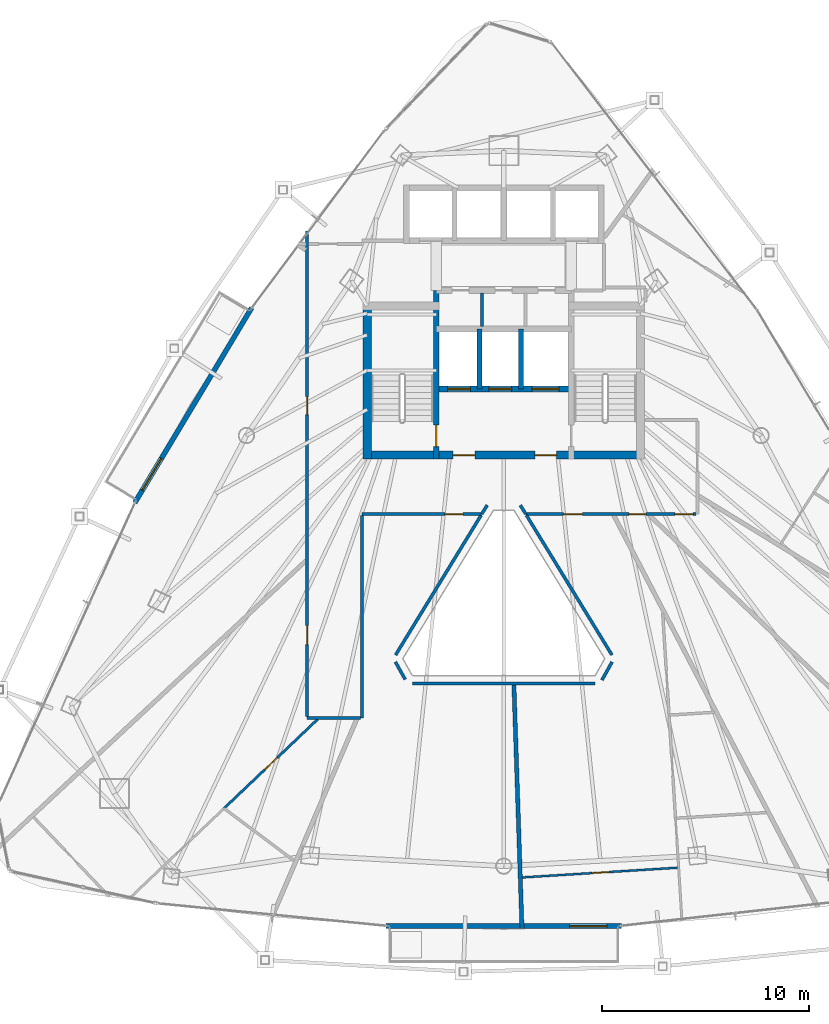
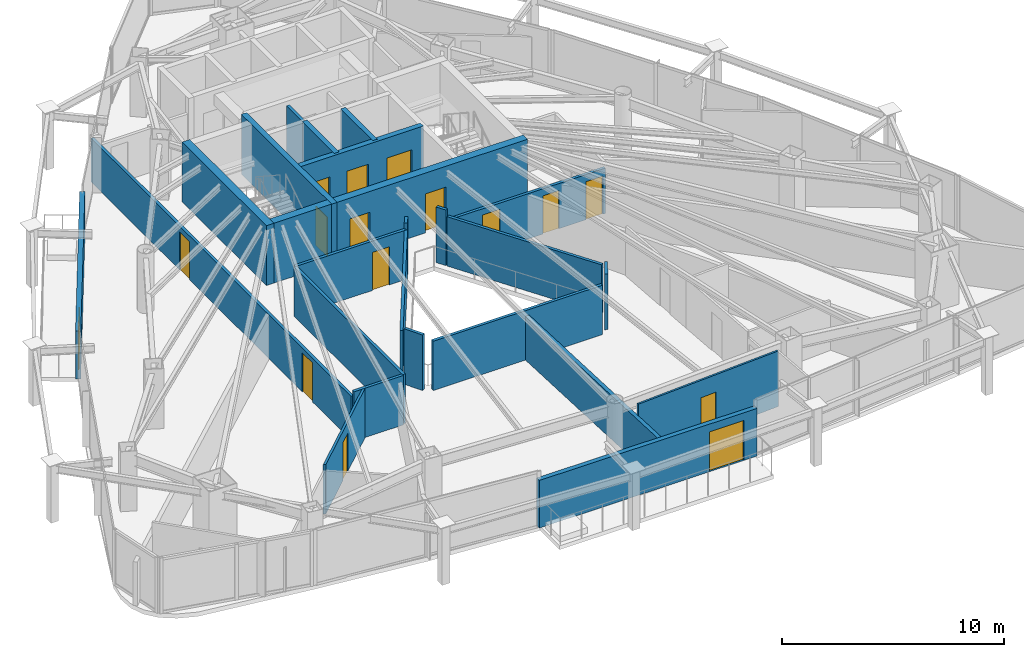
# One storey, part 24 of 29: 24 walls, 16 doors, 16 openings.
"""IFC4 building model written with IfcOpenShell, lengths in metres."""

import ifcopenshell
import ifcopenshell.guid

model = None  # the IFC model being written
_history = None  # IfcOwnerHistory: only IFC2X3 demands one
_inside = {}  # id of a spatial element -> (the spatial element, [elements in it])
_under = {}  # id of a project, library or spatial element -> (it, [spatial elements below it])
_declared = {}  # id of a project -> (the project, [libraries it declares])
_typed = {}  # id of a type object -> (the type object, [elements of that type])
_made_of = {}  # id of a material, layer set ... -> (it, [elements and type objects made of it])


def new_model(schema):
    """Start an empty IFC model of exactly this schema.

    Asked for "IFC4X3", IfcOpenShell would pick the latest addendum, in which some entities
    have other attributes; the version numbers below select the first issue.
    IFC2X3 requires an IfcOwnerHistory on every rooted entity: one is made here for all.
    """
    global model, _history
    if schema == "IFC4X3":
        model = ifcopenshell.file(schema_version=(4, 3, 0, 0))
    else:
        model = ifcopenshell.file(schema=schema)
    _inside.clear()
    _under.clear()
    _declared.clear()
    _typed.clear()
    _made_of.clear()
    _history = None
    if model.schema == "IFC2X3":
        org = make("IfcOrganization", Name="unknown")
        user = make(
            "IfcPersonAndOrganization",
            ThePerson=make("IfcPerson", FamilyName="unknown"),
            TheOrganization=org,
        )
        app = make(
            "IfcApplication",
            ApplicationDeveloper=org,
            Version="unknown",
            ApplicationFullName="unknown",
            ApplicationIdentifier="unknown",
        )
        _history = make(
            "IfcOwnerHistory",
            OwningUser=user,
            OwningApplication=app,
            ChangeAction="ADDED",
            CreationDate=0,
        )
    return model


def make(cls, **values):
    """One entity of the class cls with the attributes given. An attribute that is None is left unset."""
    return model.create_entity(
        cls, **{name: value for name, value in values.items() if value is not None}
    )


def rooted(cls, **values):
    """An entity with a GlobalId (a new one), such as an element, a storey or a relation."""
    return make(cls, GlobalId=ifcopenshell.guid.new(), OwnerHistory=_history, **values)


def si_unit(unit_type, name, prefix=None):
    """IfcSIUnit, for example si_unit("LENGTHUNIT", "METRE", prefix="MILLI")."""
    return make("IfcSIUnit", UnitType=unit_type, Prefix=prefix, Name=name)


def assignment(units):
    """IfcUnitAssignment: the units of a project."""
    return None if units is None else make("IfcUnitAssignment", Units=units)


def point(xyz):
    """IfcCartesianPoint."""
    return None if xyz is None else make("IfcCartesianPoint", Coordinates=xyz)


def direction(xyz):
    """IfcDirection."""
    return None if xyz is None else make("IfcDirection", DirectionRatios=xyz)


def frame(location, z_axis=None, x_axis=None):
    """IfcAxis2Placement3D, a coordinate frame: its origin and axes. An axis left out is left unset."""
    return make(
        "IfcAxis2Placement3D",
        Location=point(location),
        Axis=direction(z_axis),
        RefDirection=direction(x_axis),
    )


def frame_2d(location, x_axis=None):
    """IfcAxis2Placement2D, a coordinate frame in the plane: its origin and x axis."""
    return make(
        "IfcAxis2Placement2D", Location=point(location), RefDirection=direction(x_axis)
    )


def origin():
    """The frame at (0, 0, 0) with its axes left unset."""
    return frame((0.0, 0.0, 0.0))


def place(relative_to, where):
    """IfcLocalPlacement: puts the frame where relative to a parent placement (None: the world)."""
    return make(
        "IfcLocalPlacement", PlacementRelTo=relative_to, RelativePlacement=where
    )


def context(
    kind, dimensions, precision=None, world=None, true_north=None, identifier=None
):
    """IfcGeometricRepresentationContext, for example the 3D "Model" context."""
    return make(
        "IfcGeometricRepresentationContext",
        ContextIdentifier=identifier,
        ContextType=kind,
        CoordinateSpaceDimension=dimensions,
        Precision=precision,
        WorldCoordinateSystem=world,
        TrueNorth=true_north,
    )


def subcontext(parent, identifier, kind, view, scale=None):
    """IfcGeometricRepresentationSubContext, for example "Body" below "Model"."""
    return make(
        "IfcGeometricRepresentationSubContext",
        ContextIdentifier=identifier,
        ContextType=kind,
        ParentContext=parent,
        TargetScale=scale,
        TargetView=view,
    )


def project(units=None, contexts=None):
    """IfcProject with its units and contexts."""
    return rooted(
        "IfcProject",
        Name="project",
        RepresentationContexts=contexts,
        UnitsInContext=assignment(units),
    )


def spatial(cls, under=None, at=None, **own):
    """A site, building, storey or space (cls), placed at a placement, below another one or the project."""
    s = rooted(cls, ObjectPlacement=at, **own)
    if under is not None:
        _under.setdefault(under.id(), (under, []))[1].append(s)
    return s


def profile(cls, at=None, kind="AREA", **sizes):
    """A parametric profile (cls). Its sizes go by their IFC names, for example OverallWidth=200.0."""
    return make(cls, ProfileType=kind, Position=at, **sizes)


def rectangle(**sizes):
    """IfcRectangleProfileDef."""
    return profile("IfcRectangleProfileDef", **sizes)


def extrude(swept, where, along, depth):
    """IfcExtrudedAreaSolid: the profile swept, set in the frame where, extruded along a direction by depth."""
    return make(
        "IfcExtrudedAreaSolid",
        SweptArea=swept,
        Position=where,
        ExtrudedDirection=direction(along),
        Depth=depth,
    )


def shape(context_of_items, identifier, shape_type, items):
    """IfcShapeRepresentation: the items that make up one representation, for example the "Body"."""
    return make(
        "IfcShapeRepresentation",
        ContextOfItems=context_of_items,
        RepresentationIdentifier=identifier,
        RepresentationType=shape_type,
        Items=items,
    )


def material(Name=None, Category=None):
    """IfcMaterial."""
    return make("IfcMaterial", Name=Name, Category=Category)


def layer(
    of_material, thickness, ventilated=None, Name=None, Category=None, Priority=None
):
    """IfcMaterialLayer: one layer of a wall or slab, of a material (None: an air gap)."""
    return make(
        "IfcMaterialLayer",
        Material=of_material,
        LayerThickness=thickness,
        IsVentilated=ventilated,
        Name=Name,
        Category=Category,
        Priority=Priority,
    )


def layer_set(layers, Name=None):
    """IfcMaterialLayerSet."""
    return make("IfcMaterialLayerSet", MaterialLayers=layers, LayerSetName=Name)


def made_of(thing, what):
    """Note that an element or type object is made of a material, layer set ...; save() writes the relation."""
    if what is not None:
        _made_of.setdefault(what.id(), (what, []))[1].append(thing)
    return thing


def type_object(cls, material=None, **own):
    """A type object (cls), such as IfcWallType, which elements share."""
    return made_of(rooted(cls, **own), material)


def element(
    cls,
    number,
    at=None,
    inside=None,
    cuts=None,
    type_object=None,
    material=None,
    context=None,
    identifier="Body",
    shape_type=None,
    held_by="IfcProductDefinitionShape",
    body=None,
    shapes=None,
    **own,
):
    """One element of the class cls, such as IfcWall. Its Tag is "e" and its number.

    at: its placement. inside: the storey or other place that contains it. cuts: it is an
    opening in that element (IfcRelVoidsElement). A single representation is given by context,
    identifier, shape_type and body (its items); several are given by shapes. held_by: the class
    of the entity that holds the representations. save() writes the other relations.
    """
    e = rooted(cls, Tag="e%d" % number, ObjectPlacement=at, **own)
    if body is not None:
        shapes = [shape(context, identifier, shape_type, body)]
    if shapes is not None:
        e.Representation = make(held_by, Representations=shapes)
    if inside is not None:
        _inside.setdefault(inside.id(), (inside, []))[1].append(e)
    if cuts is not None:
        rooted(
            "IfcRelVoidsElement", RelatingBuildingElement=cuts, RelatedOpeningElement=e
        )
    if type_object is not None:
        _typed.setdefault(type_object.id(), (type_object, []))[1].append(e)
    return made_of(e, material)


def fill(opening, filler):
    """IfcRelFillsElement: the door or window that sits in an opening."""
    return rooted(
        "IfcRelFillsElement",
        RelatingOpeningElement=opening,
        RelatedBuildingElement=filler,
    )


def aggregate(whole, parts):
    """IfcRelAggregates: a whole, such as a stair, and the parts it consists of."""
    return rooted("IfcRelAggregates", RelatingObject=whole, RelatedObjects=parts)


def save(model, path):
    """Write the relations noted so far, then the file.

    IfcRelAggregates (storeys below a building ...), IfcRelContainedInSpatialStructure (elements
    in a storey), IfcRelDefinesByType, IfcRelAssociatesMaterial and IfcRelDeclares: one each for
    every whole, place, type object, material and project.
    """
    for whole, parts in _under.values():
        aggregate(whole, parts)
    for where, things in _inside.values():
        rooted(
            "IfcRelContainedInSpatialStructure",
            RelatedElements=things,
            RelatingStructure=where,
        )
    for kind, things in _typed.values():
        rooted("IfcRelDefinesByType", RelatedObjects=things, RelatingType=kind)
    for what, things in _made_of.values():
        rooted("IfcRelAssociatesMaterial", RelatedObjects=things, RelatingMaterial=what)
    for by, libraries in _declared.values():
        rooted("IfcRelDeclares", RelatingContext=by, RelatedDefinitions=libraries)
    model.write(path)


model = new_model("IFC4")

# Units and contexts
model_context = context("Model", 3, precision=1e-05, world=origin(), true_north=direction((0.0, 1.0)))
body_context = subcontext(model_context, "Body", "Model", "MODEL_VIEW")
ifc_project = project(units=[si_unit("LENGTHUNIT", "METRE"), si_unit("AREAUNIT", "SQUARE_METRE"), si_unit("VOLUMEUNIT", "CUBIC_METRE"), si_unit("PLANEANGLEUNIT", "RADIAN"), si_unit("MASSUNIT", "GRAM", prefix="KILO")], contexts=[model_context])

# Site, building, storey
site_placement = place(None, origin())
site = spatial("IfcSite", under=ifc_project, at=site_placement, CompositionType="ELEMENT")
building_placement = place(site_placement, origin())
building = spatial("IfcBuilding", under=site, at=building_placement, Name="Orvanel Arch Residences", CompositionType="ELEMENT")
storey_placement = place(building_placement, frame((0.0, 0.0, 177.050048828125)))
storey = spatial("IfcBuildingStorey", under=building, at=storey_placement, Name="L50", CompositionType="ELEMENT", Elevation=177.050048828125)

# Wall, opening, door
ifc_material_1 = material(Name="Precast concrete N50 (50 MPa)", Category="concrete")
ifc_layer_1 = layer(ifc_material_1, 0.239990234375)
ifc_layer_set_1 = layer_set([ifc_layer_1], Name="Precast concrete N50 (50 MPa)")
wall_type_1 = type_object("IfcWallType", Name="EW-BAL-240", PredefinedType="SOLIDWALL", material=ifc_layer_set_1)
wall_1_placement = place(storey_placement, frame((20.825927734375, 33.81103515625, 0.0), z_axis=(0.0, 0.0, 1.0), x_axis=(-0.514332213488, -0.857591029669, 0.0)))
wall_1 = element("IfcWall", 1, at=wall_1_placement, inside=storey, type_object=wall_type_1, Name="L50 Balcony Threshold Wall Face 1", PredefinedType="SOLIDWALL", context=body_context, shape_type="SweptSolid", body=[
    extrude(rectangle(XDim=10.977294921875, YDim=0.239990234375, at=frame_2d((5.48876953125, 0.0))), origin(), (0.0, 0.0, 1.0), 2.6240234375),
])
opening_1_placement = place(wall_1_placement, frame((8.47998046875, 0.0, 0.0)))
opening_1 = element("IfcOpeningElement", 2, at=opening_1_placement, cuts=wall_1, Name="Opening DB-180", PredefinedType="OPENING", context=body_context, shape_type="SweptSolid", body=[
    extrude(rectangle(XDim=1.800048828125, YDim=2.199951171875, at=frame_2d((0.89990234375, 1.10009765625))), frame((0.0, 0.1298828125, 0.0), z_axis=(0.0, -1.0, 0.0), x_axis=(1.0, 0.0, 0.0)), (0.0, 0.0, 1.0), 0.260009765625),
])
ifc_material_2 = material(Name="Bronze-anodised aluminium AA6063-T6", Category="aluminium")
door_type_1 = type_object("IfcDoorType", Name="DR-BAL-1800", OperationType="NOTDEFINED", PredefinedType="DOOR", material=ifc_material_2)
door_1_placement = place(opening_1_placement, origin())
door_1 = element("IfcDoor", 3, at=door_1_placement, inside=storey, type_object=door_type_1, Name="DR-L50-BAL-F1 L50 Planted Balcony Access Door Face 1", OperationType="SINGLE_SWING_LEFT", OverallHeight=2.199951171875, OverallWidth=1.800048828125, PredefinedType="DOOR", context=body_context, shape_type="SweptSolid", body=[
    extrude(rectangle(XDim=1.800048828125, YDim=2.199951171875, at=frame_2d((0.89990234375, 1.10009765625))), frame((0.0, 0.02490234375, 0.0), z_axis=(0.0, -1.0, 0.0), x_axis=(1.0, 0.0, 0.0)), (0.0, 0.0, 1.0), 0.050048828125),
])
fill(opening_1, door_1)

wall_2_placement = place(storey_placement, frame((27.323974609375, 3.945068359375, 0.0), z_axis=(0.0, 0.0, 1.0), x_axis=(1.0, 0.0, 0.0)))
wall_2 = element("IfcWall", 4, at=wall_2_placement, inside=storey, type_object=wall_type_1, Name="L50 Balcony Threshold Wall Face 2", PredefinedType="SOLIDWALL", context=body_context, shape_type="SweptSolid", body=[
    extrude(rectangle(XDim=11.35205078125, YDim=0.239990234375, at=frame_2d((5.676025390625, 0.0))), origin(), (0.0, 0.0, 1.0), 2.6240234375),
])
opening_2_placement = place(wall_2_placement, frame((8.85498046875, 0.0, 0.0)))
opening_2 = element("IfcOpeningElement", 5, at=opening_2_placement, cuts=wall_2, Name="Opening DB-180", PredefinedType="OPENING", context=body_context, shape_type="SweptSolid", body=[
    extrude(rectangle(XDim=1.800048828125, YDim=2.199951171875, at=frame_2d((0.89990234375, 1.10009765625))), frame((0.0, 0.1298828125, 0.0), z_axis=(0.0, -1.0, 0.0), x_axis=(1.0, 0.0, 0.0)), (0.0, 0.0, 1.0), 0.260009765625),
])
door_2_placement = place(opening_2_placement, origin())
door_2 = element("IfcDoor", 6, at=door_2_placement, inside=storey, type_object=door_type_1, Name="DR-L50-BAL-F2 L50 Planted Balcony Access Door Face 2", OperationType="SINGLE_SWING_RIGHT", OverallHeight=2.199951171875, OverallWidth=1.800048828125, PredefinedType="DOOR", context=body_context, shape_type="SweptSolid", body=[
    extrude(rectangle(XDim=1.800048828125, YDim=2.199951171875, at=frame_2d((0.89990234375, 1.10009765625))), frame((0.0, 0.02490234375, 0.0), z_axis=(0.0, -1.0, 0.0), x_axis=(1.0, 0.0, 0.0)), (0.0, 0.0, 1.0), 0.050048828125),
])
fill(opening_2, door_2)

# Walls
ifc_material_3 = material(Name="Concrete N50 (50 MPa)", Category="concrete")
ifc_layer_2 = layer(ifc_material_3, 0.25)
ifc_layer_set_2 = layer_set([ifc_layer_2], Name="Concrete N50 (50 MPa)")
wall_type_2 = type_object("IfcWallType", Name="SW-CORE-250", PredefinedType="SHEAR", material=ifc_layer_set_2)
for number, where, z_axis, x_axis, name in (
    (7, (31.824951171875, 29.889892578125, 0.0), (0.0, 0.0, 1.0), (0.0, 1.0, 0.0), "L50 Emergency Lift Inter-Shaft Wall F12"),
    (8, (33.824951171875, 29.889892578125, 0.0), (0.0, 0.0, 1.0), (0.0, 1.0, 0.0), "L50 Emergency Lift Inter-Shaft Wall F2G"),
):
    element("IfcWall", number, at=place(storey_placement, frame(where, z_axis=z_axis, x_axis=x_axis)), inside=storey, type_object=wall_type_2, Name=name, PredefinedType="SHEAR", context=body_context, shape_type="SweptSolid", body=[
        extrude(rectangle(XDim=2.900146484375, YDim=0.25, at=frame_2d((1.4501953125, 0.0))), origin(), (0.0, 0.0, 1.0), 3.300048828125),
    ])

# Wall, opening, door
ifc_material_4 = material(Name="Concrete S65 (65 MPa)", Category="concrete")
ifc_layer_3 = layer(ifc_material_4, 0.280029296875)
ifc_layer_set_3 = layer_set([ifc_layer_3], Name="Concrete S65 (65 MPa)")
wall_type_3 = type_object("IfcWallType", Name="SW-CORE-280", PredefinedType="SHEAR", material=ifc_layer_set_3)
wall_3_placement = place(storey_placement, frame((29.739990234375, 26.5, 0.0), z_axis=(0.0, 0.0, 1.0), x_axis=(0.0, 1.0, 0.0)))
wall_3 = element("IfcWall", 9, at=wall_3_placement, inside=storey, type_object=wall_type_3, Name="L50 West Inner Core Spine Shear Wall", PredefinedType="SHEAR", context=body_context, shape_type="SweptSolid", body=[
    extrude(rectangle(XDim=8.14990234375, YDim=0.280029296875, at=frame_2d((4.074951171875, 0.0))), origin(), (0.0, 0.0, 1.0), 3.300048828125),
])
opening_3_placement = place(wall_3_placement, frame((0.60009765625, 0.0, 0.0)))
opening_3 = element("IfcOpeningElement", 10, at=opening_3_placement, cuts=wall_3, Name="Opening DF-120", PredefinedType="OPENING", context=body_context, shape_type="SweptSolid", body=[
    extrude(rectangle(XDim=1.050048828125, YDim=2.14990234375, at=frame_2d((0.52490234375, 1.074951171875))), frame((0.0, 0.14990234375, 0.0), z_axis=(0.0, -1.0, 0.0), x_axis=(1.0, 0.0, 0.0)), (0.0, 0.0, 1.0), 0.300048828125),
])
ifc_material_5 = material(Name="Galvanised steel fire-resisting door assembly", Category="steel")
door_type_2 = type_object("IfcDoorType", Name="DR-FD120-1050", OperationType="NOTDEFINED", PredefinedType="DOOR", material=ifc_material_5)
door_3_placement = place(opening_3_placement, origin())
door_3 = element("IfcDoor", 11, at=door_3_placement, inside=storey, type_object=door_type_2, Name="DR-L50-ST1 L50 Stair 1 Fire Door", OperationType="SINGLE_SWING_LEFT", OverallHeight=2.14990234375, OverallWidth=1.050048828125, PredefinedType="DOOR", context=body_context, shape_type="SweptSolid", body=[
    extrude(rectangle(XDim=1.050048828125, YDim=2.14990234375, at=frame_2d((0.52490234375, 1.074951171875))), frame((0.0, 0.02490234375, 0.0), z_axis=(0.0, -1.0, 0.0), x_axis=(1.0, 0.0, 0.0)), (0.0, 0.0, 1.0), 0.050048828125),
])
fill(opening_3, door_3)

# Wall, openings, doors
wall_4_placement = place(storey_placement, frame((36.260009765625, 29.889892578125, 0.0), z_axis=(0.0, 0.0, 1.0), x_axis=(-1.0, 0.0, 0.0)))
wall_4 = element("IfcWall", 12, at=wall_4_placement, inside=storey, type_object=wall_type_3, Name="L50 Emergency Lift Front Core Shear Wall", PredefinedType="SHEAR", context=body_context, shape_type="SweptSolid", body=[
    extrude(rectangle(XDim=6.52001953125, YDim=0.280029296875, at=frame_2d((3.260009765625, 0.0))), origin(), (0.0, 0.0, 1.0), 3.300048828125),
])
opening_4_placement = place(wall_4_placement, frame((4.875, 0.0, 0.0)))
opening_4 = element("IfcOpeningElement", 13, at=opening_4_placement, cuts=wall_4, Name="Opening LD-110", PredefinedType="OPENING", context=body_context, shape_type="SweptSolid", body=[
    extrude(rectangle(XDim=1.10009765625, YDim=2.199951171875, at=frame_2d((0.550048828125, 1.10009765625))), frame((0.0, 0.14990234375, 0.0), z_axis=(0.0, -1.0, 0.0), x_axis=(1.0, 0.0, 0.0)), (0.0, 0.0, 1.0), 0.300048828125),
])
opening_5_placement = place(wall_4_placement, frame((2.875, 0.0, 0.0)))
opening_5 = element("IfcOpeningElement", 14, at=opening_5_placement, cuts=wall_4, Name="Opening LD-110", PredefinedType="OPENING", context=body_context, shape_type="SweptSolid", body=[
    extrude(rectangle(XDim=1.10009765625, YDim=2.199951171875, at=frame_2d((0.550048828125, 1.10009765625))), frame((0.0, 0.14990234375, 0.0), z_axis=(0.0, -1.0, 0.0), x_axis=(1.0, 0.0, 0.0)), (0.0, 0.0, 1.0), 0.300048828125),
])
opening_6_placement = place(wall_4_placement, frame((0.60009765625, 0.0, 0.0)))
opening_6 = element("IfcOpeningElement", 15, at=opening_6_placement, cuts=wall_4, Name="Opening LD-130", PredefinedType="OPENING", context=body_context, shape_type="SweptSolid", body=[
    extrude(rectangle(XDim=1.300048828125, YDim=2.199951171875, at=frame_2d((0.64990234375, 1.10009765625))), frame((0.0, 0.14990234375, 0.0), z_axis=(0.0, -1.0, 0.0), x_axis=(1.0, 0.0, 0.0)), (0.0, 0.0, 1.0), 0.300048828125),
])
door_type_3 = type_object("IfcDoorType", Name="DR-LFT-1100", OperationType="NOTDEFINED", PredefinedType="DOOR", material=ifc_material_5)
door_4_placement = place(opening_4_placement, origin())
door_4 = element("IfcDoor", 16, at=door_4_placement, inside=storey, type_object=door_type_3, Name="LD-F1-L50 L50 Lift F1 Sliding Landing Door", OperationType="DOUBLE_DOOR_SLIDING", OverallHeight=2.199951171875, OverallWidth=1.10009765625, PredefinedType="DOOR", context=body_context, shape_type="SweptSolid", body=[
    extrude(rectangle(XDim=1.10009765625, YDim=2.199951171875, at=frame_2d((0.550048828125, 1.10009765625))), frame((0.0, 0.02490234375, 0.0), z_axis=(0.0, -1.0, 0.0), x_axis=(1.0, 0.0, 0.0)), (0.0, 0.0, 1.0), 0.050048828125),
])
fill(opening_4, door_4)
door_5_placement = place(opening_5_placement, origin())
door_5 = element("IfcDoor", 17, at=door_5_placement, inside=storey, type_object=door_type_3, Name="LD-F2-L50 L50 Lift F2 Sliding Landing Door", OperationType="DOUBLE_DOOR_SLIDING", OverallHeight=2.199951171875, OverallWidth=1.10009765625, PredefinedType="DOOR", context=body_context, shape_type="SweptSolid", body=[
    extrude(rectangle(XDim=1.10009765625, YDim=2.199951171875, at=frame_2d((0.550048828125, 1.10009765625))), frame((0.0, 0.02490234375, 0.0), z_axis=(0.0, -1.0, 0.0), x_axis=(1.0, 0.0, 0.0)), (0.0, 0.0, 1.0), 0.050048828125),
])
fill(opening_5, door_5)
door_type_4 = type_object("IfcDoorType", Name="DR-LFT-1300", OperationType="NOTDEFINED", PredefinedType="DOOR", material=ifc_material_5)
door_6_placement = place(opening_6_placement, origin())
door_6 = element("IfcDoor", 18, at=door_6_placement, inside=storey, type_object=door_type_4, Name="LD-G1-L50 L50 Lift G1 Sliding Landing Door", OperationType="DOUBLE_DOOR_SLIDING", OverallHeight=2.199951171875, OverallWidth=1.300048828125, PredefinedType="DOOR", context=body_context, shape_type="SweptSolid", body=[
    extrude(rectangle(XDim=1.300048828125, YDim=2.199951171875, at=frame_2d((0.64990234375, 1.10009765625))), frame((0.0, 0.02490234375, 0.0), z_axis=(0.0, -1.0, 0.0), x_axis=(1.0, 0.0, 0.0)), (0.0, 0.0, 1.0), 0.050048828125),
])
fill(opening_6, door_6)

ifc_layer_4 = layer(ifc_material_4, 0.39990234375)
ifc_layer_set_4 = layer_set([ifc_layer_4], Name="Concrete S65 (65 MPa)")
wall_type_4 = type_object("IfcWallType", Name="SW-CORE-400", PredefinedType="SHEAR", material=ifc_layer_set_4)
wall_5_placement = place(storey_placement, frame((26.199951171875, 26.699951171875, 0.0), z_axis=(0.0, 0.0, 1.0), x_axis=(1.0, 0.0, 0.0)))
wall_5 = element("IfcWall", 19, at=wall_5_placement, inside=storey, type_object=wall_type_4, Name="L50 South Core Shear Wall", PredefinedType="SHEAR", context=body_context, shape_type="SweptSolid", body=[
    extrude(rectangle(XDim=13.60009765625, YDim=0.39990234375, at=frame_2d((6.800048828125, 0.0))), origin(), (0.0, 0.0, 1.0), 3.300048828125),
])
opening_7_placement = place(wall_5_placement, frame((4.35009765625, 0.0, 0.0)))
opening_7 = element("IfcOpeningElement", 20, at=opening_7_placement, cuts=wall_5, Name="Opening DF-060", PredefinedType="OPENING", context=body_context, shape_type="SweptSolid", body=[
    extrude(rectangle(XDim=1.050048828125, YDim=2.14990234375, at=frame_2d((0.52490234375, 1.074951171875))), frame((0.0, 0.2099609375, 0.0), z_axis=(0.0, -1.0, 0.0), x_axis=(1.0, 0.0, 0.0)), (0.0, 0.0, 1.0), 0.419921875),
])
opening_8_placement = place(wall_5_placement, frame((8.300048828125, 0.0, 0.0)))
opening_8 = element("IfcOpeningElement", 21, at=opening_8_placement, cuts=wall_5, Name="Opening DF-060", PredefinedType="OPENING", context=body_context, shape_type="SweptSolid", body=[
    extrude(rectangle(XDim=1.050048828125, YDim=2.14990234375, at=frame_2d((0.52490234375, 1.074951171875))), frame((0.0, 0.2099609375, 0.0), z_axis=(0.0, -1.0, 0.0), x_axis=(1.0, 0.0, 0.0)), (0.0, 0.0, 1.0), 0.419921875),
])
door_type_5 = type_object("IfcDoorType", Name="DR-FD60-1050", OperationType="NOTDEFINED", PredefinedType="DOOR", material=ifc_material_5)
door_7_placement = place(opening_7_placement, origin())
door_7 = element("IfcDoor", 22, at=door_7_placement, inside=storey, type_object=door_type_5, Name="DR-L50-FFL-W L50 West Smoke Lobby Door", OperationType="SINGLE_SWING_LEFT", OverallHeight=2.14990234375, OverallWidth=1.050048828125, PredefinedType="DOOR", context=body_context, shape_type="SweptSolid", body=[
    extrude(rectangle(XDim=1.050048828125, YDim=2.14990234375, at=frame_2d((0.52490234375, 1.074951171875))), frame((0.0, 0.02490234375, 0.0), z_axis=(0.0, -1.0, 0.0), x_axis=(1.0, 0.0, 0.0)), (0.0, 0.0, 1.0), 0.050048828125),
])
fill(opening_7, door_7)
door_8_placement = place(opening_8_placement, origin())
door_8 = element("IfcDoor", 23, at=door_8_placement, inside=storey, type_object=door_type_5, Name="DR-L50-FFL-E L50 East Smoke Lobby Door", OperationType="SINGLE_SWING_RIGHT", OverallHeight=2.14990234375, OverallWidth=1.050048828125, PredefinedType="DOOR", context=body_context, shape_type="SweptSolid", body=[
    extrude(rectangle(XDim=1.050048828125, YDim=2.14990234375, at=frame_2d((0.52490234375, 1.074951171875))), frame((0.0, 0.02490234375, 0.0), z_axis=(0.0, -1.0, 0.0), x_axis=(1.0, 0.0, 0.0)), (0.0, 0.0, 1.0), 0.050048828125),
])
fill(opening_8, door_8)

# Walls
wall_6_placement = place(storey_placement, frame((26.39990234375, 26.5, 0.0), z_axis=(0.0, 0.0, 1.0), x_axis=(0.0, 1.0, 0.0)))
element("IfcWall", 24, at=wall_6_placement, inside=storey, type_object=wall_type_4, Name="L50 West Stair Shear Wall", PredefinedType="SHEAR", context=body_context, shape_type="SweptSolid", body=[
    extrude(rectangle(XDim=7.60009765625, YDim=0.39990234375, at=frame_2d((3.800048828125, 0.0))), origin(), (0.0, 0.0, 1.0), 3.300048828125),
])
ifc_material_6 = material(Name="Fire-rated plasterboard lined steel stud partition", Category="steel")
ifc_layer_5 = layer(ifc_material_6, 0.14990234375)
ifc_layer_set_5 = layer_set([ifc_layer_5], Name="Fire-rated plasterboard lined steel stud partition")
wall_type_5 = type_object("IfcWallType", Name="W-COR-150", PredefinedType="PARTITIONING", material=ifc_layer_set_5)
wall_7_placement = place(storey_placement, frame((32.200927734375, 24.27587890625, 0.0), z_axis=(0.0, 0.0, 1.0), x_axis=(-0.529649150849, -0.84821682193, 0.0)))
element("IfcWall", 25, at=wall_7_placement, inside=storey, type_object=wall_type_5, Name="L50 Corridor Fire-Rated Partition", PredefinedType="PARTITIONING", context=body_context, shape_type="SweptSolid", body=[
    extrude(rectangle(XDim=0.501953125, YDim=0.14990234375, at=frame_2d((0.2509765625, 0.0))), origin(), (0.0, 0.0, 1.0), 3.06005859375),
])

# Wall, opening, door
wall_8_placement = place(storey_placement, frame((31.93505859375, 23.85009765625, 0.0), z_axis=(0.0, 0.0, 1.0), x_axis=(-1.0, 0.0, 0.0)))
wall_8 = element("IfcWall", 26, at=wall_8_placement, inside=storey, type_object=wall_type_5, Name="L50 Corridor Fire-Rated Partition", PredefinedType="PARTITIONING", context=body_context, shape_type="SweptSolid", body=[
    extrude(rectangle(XDim=5.78515625, YDim=0.14990234375, at=frame_2d((2.892578125, 0.0))), origin(), (0.0, 0.0, 1.0), 2.720947265625),
])
opening_9_placement = place(wall_8_placement, frame((0.905029296875, 0.0, 0.0)))
opening_9 = element("IfcOpeningElement", 27, at=opening_9_placement, cuts=wall_8, Name="Opening DI-088", PredefinedType="OPENING", context=body_context, shape_type="SweptSolid", body=[
    extrude(rectangle(XDim=0.8798828125, YDim=2.10009765625, at=frame_2d((0.43994140625, 1.050048828125))), frame((0.0, 0.0849609375, 0.0), z_axis=(0.0, -1.0, 0.0), x_axis=(1.0, 0.0, 0.0)), (0.0, 0.0, 1.0), 0.169921875),
])
ifc_material_7 = material(Name="Solid-core European oak veneer fire door leaf", Category="wood")
door_type_6 = type_object("IfcDoorType", Name="DR-INT-880", OperationType="NOTDEFINED", PredefinedType="DOOR", material=ifc_material_7)
door_9_placement = place(opening_9_placement, origin())
door_9 = element("IfcDoor", 28, at=door_9_placement, inside=storey, type_object=door_type_6, Name="DR-L50-SHRD-FB5 L50 Co-Working Study Office E Door", OperationType="SINGLE_SWING_LEFT", OverallHeight=2.10009765625, OverallWidth=0.8798828125, PredefinedType="DOOR", context=body_context, shape_type="SweptSolid", body=[
    extrude(rectangle(XDim=0.8798828125, YDim=2.10009765625, at=frame_2d((0.43994140625, 1.050048828125))), frame((0.0, 0.02490234375, 0.0), z_axis=(0.0, -1.0, 0.0), x_axis=(1.0, 0.0, 0.0)), (0.0, 0.0, 1.0), 0.050048828125),
])
fill(opening_9, door_9)

# Walls
wall_9_placement = place(storey_placement, frame((26.14990234375, 23.7900390625, 0.0), z_axis=(0.0, 0.0, 1.0), x_axis=(0.0, -1.0, 0.0)))
element("IfcWall", 29, at=wall_9_placement, inside=storey, type_object=wall_type_5, Name="L50 Corridor Fire-Rated Partition", PredefinedType="PARTITIONING", context=body_context, shape_type="SweptSolid", body=[
    extrude(rectangle(XDim=9.7900390625, YDim=0.14990234375, at=frame_2d((4.89501953125, 0.0))), origin(), (0.0, 0.0, 1.0), 2.720947265625),
])
wall_10_placement = place(storey_placement, frame((26.090087890625, 14.0, 0.0), z_axis=(0.0, 0.0, 1.0), x_axis=(-1.0, 0.0, 0.0)))
element("IfcWall", 30, at=wall_10_placement, inside=storey, type_object=wall_type_5, Name="L50 Corridor Fire-Rated Partition", PredefinedType="PARTITIONING", context=body_context, shape_type="SweptSolid", body=[
    extrude(rectangle(XDim=2.590087890625, YDim=0.14990234375, at=frame_2d((1.294921875, 0.0))), origin(), (0.0, 0.0, 1.0), 2.720947265625),
])

# Wall, openings, doors
wall_11_placement = place(storey_placement, frame((23.5, 14.06005859375, 0.0), z_axis=(0.0, 0.0, 1.0), x_axis=(0.0, 1.0, 0.0)))
wall_11 = element("IfcWall", 31, at=wall_11_placement, inside=storey, type_object=wall_type_5, Name="L50 Corridor Fire-Rated Partition", PredefinedType="PARTITIONING", context=body_context, shape_type="SweptSolid", body=[
    extrude(rectangle(XDim=23.45703125, YDim=0.14990234375, at=frame_2d((11.728515625, 0.0))), origin(), (0.0, 0.0, 1.0), 2.412841796875),
])
opening_10_placement = place(wall_11_placement, frame((14.5859375, 0.0, 0.0)))
opening_10 = element("IfcOpeningElement", 32, at=opening_10_placement, cuts=wall_11, Name="Opening DI-088", PredefinedType="OPENING", context=body_context, shape_type="SweptSolid", body=[
    extrude(rectangle(XDim=0.8798828125, YDim=2.10009765625, at=frame_2d((0.43994140625, 1.050048828125))), frame((0.0, 0.0849609375, 0.0), z_axis=(0.0, -1.0, 0.0), x_axis=(1.0, 0.0, 0.0)), (0.0, 0.0, 1.0), 0.169921875),
])
opening_11_placement = place(wall_11_placement, frame((3.48291015625, 0.0, 0.0)))
opening_11 = element("IfcOpeningElement", 33, at=opening_11_placement, cuts=wall_11, Name="Opening DA-092", PredefinedType="OPENING", context=body_context, shape_type="SweptSolid", body=[
    extrude(rectangle(XDim=0.919921875, YDim=2.14990234375, at=frame_2d((0.4599609375, 1.074951171875))), frame((0.0, 0.0849609375, 0.0), z_axis=(0.0, -1.0, 0.0), x_axis=(1.0, 0.0, 0.0)), (0.0, 0.0, 1.0), 0.169921875),
])
door_type_7 = type_object("IfcDoorType", Name="DR-APT-920", OperationType="NOTDEFINED", PredefinedType="DOOR", material=ifc_material_7)
door_10_placement = place(opening_11_placement, origin())
door_10 = element("IfcDoor", 34, at=door_10_placement, inside=storey, type_object=door_type_7, Name="DR-L50-C-ENT L50 Flat C Entrance Door", OperationType="SINGLE_SWING_RIGHT", OverallHeight=2.14990234375, OverallWidth=0.919921875, PredefinedType="DOOR", context=body_context, shape_type="SweptSolid", body=[
    extrude(rectangle(XDim=0.919921875, YDim=2.14990234375, at=frame_2d((0.4599609375, 1.074951171875))), frame((0.0, 0.02490234375, 0.0), z_axis=(0.0, -1.0, 0.0), x_axis=(1.0, 0.0, 0.0)), (0.0, 0.0, 1.0), 0.050048828125),
])
fill(opening_11, door_10)
door_11_placement = place(opening_10_placement, origin())
door_11 = element("IfcDoor", 35, at=door_11_placement, inside=storey, type_object=door_type_6, Name="DR-L50-SHRD-FB2 L50 Co-Working Study Office B Door", OperationType="SINGLE_SWING_LEFT", OverallHeight=2.10009765625, OverallWidth=0.8798828125, PredefinedType="DOOR", context=body_context, shape_type="SweptSolid", body=[
    extrude(rectangle(XDim=0.8798828125, YDim=2.10009765625, at=frame_2d((0.43994140625, 1.050048828125))), frame((0.0, 0.02490234375, 0.0), z_axis=(0.0, -1.0, 0.0), x_axis=(1.0, 0.0, 0.0)), (0.0, 0.0, 1.0), 0.050048828125),
])
fill(opening_10, door_11)

wall_12_placement = place(storey_placement, frame((42.2900390625, 23.85009765625, 0.0), z_axis=(0.0, 0.0, 1.0), x_axis=(-1.0, 0.0, 0.0)))
wall_12 = element("IfcWall", 36, at=wall_12_placement, inside=storey, type_object=wall_type_5, Name="L50 Corridor Fire-Rated Partition", PredefinedType="PARTITIONING", context=body_context, shape_type="SweptSolid", body=[
    extrude(rectangle(XDim=8.22509765625, YDim=0.14990234375, at=frame_2d((4.112548828125, 0.0))), origin(), (0.0, 0.0, 1.0), 2.491943359375),
])
opening_12_placement = place(wall_12_placement, frame((5.492919921875, 0.0, 0.0)))
opening_12 = element("IfcOpeningElement", 37, at=opening_12_placement, cuts=wall_12, Name="Opening DA-092", PredefinedType="OPENING", context=body_context, shape_type="SweptSolid", body=[
    extrude(rectangle(XDim=0.919921875, YDim=2.14990234375, at=frame_2d((0.4599609375, 1.074951171875))), frame((0.0, 0.0849609375, 0.0), z_axis=(0.0, -1.0, 0.0), x_axis=(1.0, 0.0, 0.0)), (0.0, 0.0, 1.0), 0.169921875),
])
opening_13_placement = place(wall_12_placement, frame((2.429931640625, 0.0, 0.0)))
opening_13 = element("IfcOpeningElement", 38, at=opening_13_placement, cuts=wall_12, Name="Opening DW-082", PredefinedType="OPENING", context=body_context, shape_type="SweptSolid", body=[
    extrude(rectangle(XDim=0.820068359375, YDim=2.10009765625, at=frame_2d((0.41015625, 1.050048828125))), frame((0.0, 0.0849609375, 0.0), z_axis=(0.0, -1.0, 0.0), x_axis=(1.0, 0.0, 0.0)), (0.0, 0.0, 1.0), 0.169921875),
])
opening_14_placement = place(wall_12_placement, frame((0.139892578125, 0.0, 0.0)))
opening_14 = element("IfcOpeningElement", 39, at=opening_14_placement, cuts=wall_12, Name="Opening DI-088", PredefinedType="OPENING", context=body_context, shape_type="SweptSolid", body=[
    extrude(rectangle(XDim=0.8798828125, YDim=2.10009765625, at=frame_2d((0.43994140625, 1.050048828125))), frame((0.0, 0.0849609375, 0.0), z_axis=(0.0, -1.0, 0.0), x_axis=(1.0, 0.0, 0.0)), (0.0, 0.0, 1.0), 0.169921875),
])
door_12_placement = place(opening_12_placement, origin())
door_12 = element("IfcDoor", 40, at=door_12_placement, inside=storey, type_object=door_type_7, Name="DR-L50-A-ENT L50 Studio A Entrance Door", OperationType="SINGLE_SWING_RIGHT", OverallHeight=2.14990234375, OverallWidth=0.919921875, PredefinedType="DOOR", context=body_context, shape_type="SweptSolid", body=[
    extrude(rectangle(XDim=0.919921875, YDim=2.14990234375, at=frame_2d((0.4599609375, 1.074951171875))), frame((0.0, 0.02490234375, 0.0), z_axis=(0.0, -1.0, 0.0), x_axis=(1.0, 0.0, 0.0)), (0.0, 0.0, 1.0), 0.050048828125),
])
fill(opening_12, door_12)
door_13_placement = place(opening_14_placement, origin())
door_13 = element("IfcDoor", 41, at=door_13_placement, inside=storey, type_object=door_type_6, Name="DR-L50-SHRD-FB8 L50 Co-Working Study Office H Door", OperationType="SINGLE_SWING_LEFT", OverallHeight=2.10009765625, OverallWidth=0.8798828125, PredefinedType="DOOR", context=body_context, shape_type="SweptSolid", body=[
    extrude(rectangle(XDim=0.8798828125, YDim=2.10009765625, at=frame_2d((0.43994140625, 1.050048828125))), frame((0.0, 0.02490234375, 0.0), z_axis=(0.0, -1.0, 0.0), x_axis=(1.0, 0.0, 0.0)), (0.0, 0.0, 1.0), 0.050048828125),
])
fill(opening_14, door_13)
door_type_8 = type_object("IfcDoorType", Name="DR-WET-820", OperationType="NOTDEFINED", PredefinedType="DOOR", material=ifc_material_7)
door_14_placement = place(opening_13_placement, origin())
door_14 = element("IfcDoor", 42, at=door_14_placement, inside=storey, type_object=door_type_8, Name="DR-L50-SHRD-FB6 L50 Co-Working Study Office F Door", OperationType="SINGLE_SWING_LEFT", OverallHeight=2.10009765625, OverallWidth=0.820068359375, PredefinedType="DOOR", context=body_context, shape_type="SweptSolid", body=[
    extrude(rectangle(XDim=0.820068359375, YDim=2.10009765625, at=frame_2d((0.41015625, 1.050048828125))), frame((0.0, 0.02490234375, 0.0), z_axis=(0.0, -1.0, 0.0), x_axis=(1.0, 0.0, 0.0)), (0.0, 0.0, 1.0), 0.050048828125),
])
fill(opening_13, door_14)

# Walls
wall_13_placement = place(storey_placement, frame((34.06494140625, 23.85009765625, 0.0), z_axis=(0.0, 0.0, 1.0), x_axis=(-0.529649150849, 0.84821682193, 0.0)))
element("IfcWall", 43, at=wall_13_placement, inside=storey, type_object=wall_type_5, Name="L50 Corridor Fire-Rated Partition", PredefinedType="PARTITIONING", context=body_context, shape_type="SweptSolid", body=[
    extrude(rectangle(XDim=0.501953125, YDim=0.14990234375, at=frame_2d((0.2509765625, 0.0))), origin(), (0.0, 0.0, 1.0), 3.06005859375),
])
wall_14_placement = place(storey_placement, frame((34.095947265625, 23.7900390625, 0.0), z_axis=(0.0, 0.0, 1.0), x_axis=(0.521886794995, -0.853014755564, 0.0)))
element("IfcWall", 44, at=wall_14_placement, inside=storey, type_object=wall_type_5, Name="L50 Atrium Overlook Glazed Partition", PredefinedType="PARTITIONING", context=body_context, shape_type="SweptSolid", body=[
    extrude(rectangle(XDim=7.911865234375, YDim=0.14990234375, at=frame_2d((3.9560546875, 0.0))), origin(), (0.0, 0.0, 1.0), 2.720947265625),
])
wall_15_placement = place(storey_placement, frame((38.23193359375, 16.705078125, 0.0), z_axis=(0.0, 0.0, 1.0), x_axis=(-0.489011382175, -0.872277403183, 0.0)))
element("IfcWall", 45, at=wall_15_placement, inside=storey, type_object=wall_type_5, Name="L50 Atrium Overlook Glazed Partition", PredefinedType="PARTITIONING", context=body_context, shape_type="SweptSolid", body=[
    extrude(rectangle(XDim=1.001953125, YDim=0.14990234375, at=frame_2d((0.5009765625, 0.0))), origin(), (0.0, 0.0, 1.0), 3.06005859375),
])
wall_16_placement = place(storey_placement, frame((37.4130859375, 15.658935546875, 0.0), z_axis=(0.0, 0.0, 1.0), x_axis=(-1.0, 0.0, 0.0)))
element("IfcWall", 46, at=wall_16_placement, inside=storey, type_object=wall_type_5, Name="L50 Atrium Overlook Glazed Partition", PredefinedType="PARTITIONING", context=body_context, shape_type="SweptSolid", body=[
    extrude(rectangle(XDim=8.826171875, YDim=0.14990234375, at=frame_2d((4.4130859375, 0.0))), origin(), (0.0, 0.0, 1.0), 2.720947265625),
])
wall_17_placement = place(storey_placement, frame((28.238037109375, 15.864013671875, 0.0), z_axis=(0.0, 0.0, 1.0), x_axis=(-0.48779296069, 0.872959350429, 0.0)))
element("IfcWall", 47, at=wall_17_placement, inside=storey, type_object=wall_type_5, Name="L50 Atrium Overlook Glazed Partition", PredefinedType="PARTITIONING", context=body_context, shape_type="SweptSolid", body=[
    extrude(rectangle(XDim=0.96337890625, YDim=0.14990234375, at=frame_2d((0.481689453125, 0.0))), origin(), (0.0, 0.0, 1.0), 3.06005859375),
])
wall_18_placement = place(storey_placement, frame((27.77490234375, 17.041015625, 0.0), z_axis=(0.0, 0.0, 1.0), x_axis=(0.521886794995, 0.853014755564, 0.0)))
element("IfcWall", 48, at=wall_18_placement, inside=storey, type_object=wall_type_5, Name="L50 Atrium Overlook Glazed Partition", PredefinedType="PARTITIONING", context=body_context, shape_type="SweptSolid", body=[
    extrude(rectangle(XDim=7.911865234375, YDim=0.14990234375, at=frame_2d((3.9560546875, 0.0))), origin(), (0.0, 0.0, 1.0), 2.720947265625),
])
ifc_layer_6 = layer(ifc_material_6, 0.199951171875)
ifc_layer_set_6 = layer_set([ifc_layer_6], Name="Fire-rated plasterboard lined steel stud partition")
wall_type_6 = type_object("IfcWallType", Name="W-DEM-200", PredefinedType="PARTITIONING", material=ifc_layer_set_6)
wall_19_placement = place(storey_placement, frame((33.8798828125, 3.8310546875, 0.0), z_axis=(0.0, 0.0, 1.0), x_axis=(-0.033030388285, 0.999454347857, 0.0)))
element("IfcWall", 49, at=wall_19_placement, inside=storey, type_object=wall_type_6, Name="L50 Inter-Tenancy Acoustic Demising Wall", PredefinedType="PARTITIONING", context=body_context, shape_type="SweptSolid", body=[
    extrude(rectangle(XDim=11.7744140625, YDim=0.199951171875, at=frame_2d((5.88720703125, 0.0))), origin(), (0.0, 0.0, 1.0), 2.412841796875),
])

# Wall, opening, door
ifc_material_8 = material(Name="Acoustic plasterboard lined twin-stud partition", Category="gypsum")
ifc_layer_7 = layer(ifc_material_8, 0.10009765625)
ifc_layer_set_7 = layer_set([ifc_layer_7], Name="Acoustic plasterboard lined twin-stud partition")
wall_type_7 = type_object("IfcWallType", Name="W-INT-100", PredefinedType="PARTITIONING", material=ifc_layer_set_7)
wall_20_placement = place(storey_placement, frame((41.446044921875, 6.77001953125, 0.0), z_axis=(0.0, 0.0, 1.0), x_axis=(-0.998040272182, -0.062574875979, 0.0)))
wall_20 = element("IfcWall", 50, at=wall_20_placement, inside=storey, type_object=wall_type_7, Name="L50 Studio A Internal Partition", PredefinedType="PARTITIONING", context=body_context, shape_type="SweptSolid", body=[
    extrude(rectangle(XDim=7.576904296875, YDim=0.10009765625, at=frame_2d((3.78857421875, 0.0))), origin(), (0.0, 0.0, 1.0), 3.06005859375),
])
opening_15_placement = place(wall_20_placement, frame((3.3779296875, 0.0, 0.0)))
opening_15 = element("IfcOpeningElement", 51, at=opening_15_placement, cuts=wall_20, Name="Opening DW-082", PredefinedType="OPENING", context=body_context, shape_type="SweptSolid", body=[
    extrude(rectangle(XDim=0.820068359375, YDim=2.10009765625, at=frame_2d((0.41015625, 1.050048828125))), frame((0.0, 0.06005859375, 0.0), z_axis=(0.0, -1.0, 0.0), x_axis=(1.0, 0.0, 0.0)), (0.0, 0.0, 1.0), 0.1201171875),
])
door_15_placement = place(opening_15_placement, origin())
door_15 = element("IfcDoor", 52, at=door_15_placement, inside=storey, type_object=door_type_8, Name="DR-L50-A-LAU2 L50 Studio A Apartment Laundry Room 2 Door", OperationType="SINGLE_SWING_LEFT", OverallHeight=2.10009765625, OverallWidth=0.820068359375, PredefinedType="DOOR", context=body_context, shape_type="SweptSolid", body=[
    extrude(rectangle(XDim=0.820068359375, YDim=2.10009765625, at=frame_2d((0.41015625, 1.050048828125))), frame((0.0, 0.02490234375, 0.0), z_axis=(0.0, -1.0, 0.0), x_axis=(1.0, 0.0, 0.0)), (0.0, 0.0, 1.0), 0.050048828125),
])
fill(opening_15, door_15)

# Wall
ifc_layer_8 = layer(ifc_material_6, 0.14990234375)
ifc_layer_set_8 = layer_set([ifc_layer_8], Name="Fire-rated plasterboard lined steel stud partition")
wall_type_8 = type_object("IfcWallType", Name="W-ST-150", PredefinedType="PARTITIONING", material=ifc_layer_set_8)
wall_21_placement = place(storey_placement, frame((31.949951171875, 32.9150390625, 0.0), z_axis=(0.0, 0.0, 1.0), x_axis=(0.0, 1.0, 0.0)))
element("IfcWall", 53, at=wall_21_placement, inside=storey, type_object=wall_type_8, Name="L50 Core Service Partition 1", PredefinedType="PARTITIONING", context=body_context, shape_type="SweptSolid", body=[
    extrude(rectangle(XDim=1.60986328125, YDim=0.14990234375, at=frame_2d((0.804931640625, 0.0))), origin(), (0.0, 0.0, 1.0), 3.06005859375),
])

# Wall, opening, door
ifc_layer_9 = layer(ifc_material_8, 0.1201171875)
ifc_layer_set_9 = layer_set([ifc_layer_9], Name="Acoustic plasterboard lined twin-stud partition")
wall_type_9 = type_object("IfcWallType", Name="W-WET-120", PredefinedType="PARTITIONING", material=ifc_layer_set_9)
wall_22_placement = place(storey_placement, frame((24.013916015625, 13.93994140625, 0.0), z_axis=(0.0, 0.0, 1.0), x_axis=(-0.724345202964, -0.68943747138, 0.0)))
wall_22 = element("IfcWall", 54, at=wall_22_placement, inside=storey, type_object=wall_type_9, Name="L50 Flat C Bathroom Partition", PredefinedType="PARTITIONING", context=body_context, shape_type="SweptSolid", body=[
    extrude(rectangle(XDim=6.24560546875, YDim=0.1201171875, at=frame_2d((3.122802734375, 0.0))), origin(), (0.0, 0.0, 1.0), 2.720947265625),
])
opening_16_placement = place(wall_22_placement, frame((2.712890625, 0.0, 0.0)))
opening_16 = element("IfcOpeningElement", 55, at=opening_16_placement, cuts=wall_22, Name="Opening DW-082", PredefinedType="OPENING", context=body_context, shape_type="SweptSolid", body=[
    extrude(rectangle(XDim=0.820068359375, YDim=2.10009765625, at=frame_2d((0.41015625, 1.050048828125))), frame((0.0, 0.070068359375, 0.0), z_axis=(0.0, -1.0, 0.0), x_axis=(1.0, 0.0, 0.0)), (0.0, 0.0, 1.0), 0.14013671875),
])
door_16_placement = place(opening_16_placement, origin())
door_16 = element("IfcDoor", 56, at=door_16_placement, inside=storey, type_object=door_type_8, Name="DR-L50-C-BATH L50 Flat C Bathroom Door", OperationType="SINGLE_SWING_RIGHT", OverallHeight=2.10009765625, OverallWidth=0.820068359375, PredefinedType="DOOR", context=body_context, shape_type="SweptSolid", body=[
    extrude(rectangle(XDim=0.820068359375, YDim=2.10009765625, at=frame_2d((0.41015625, 1.050048828125))), frame((0.0, 0.02490234375, 0.0), z_axis=(0.0, -1.0, 0.0), x_axis=(1.0, 0.0, 0.0)), (0.0, 0.0, 1.0), 0.050048828125),
])
fill(opening_16, door_16)

save(model, "model.ifc")
